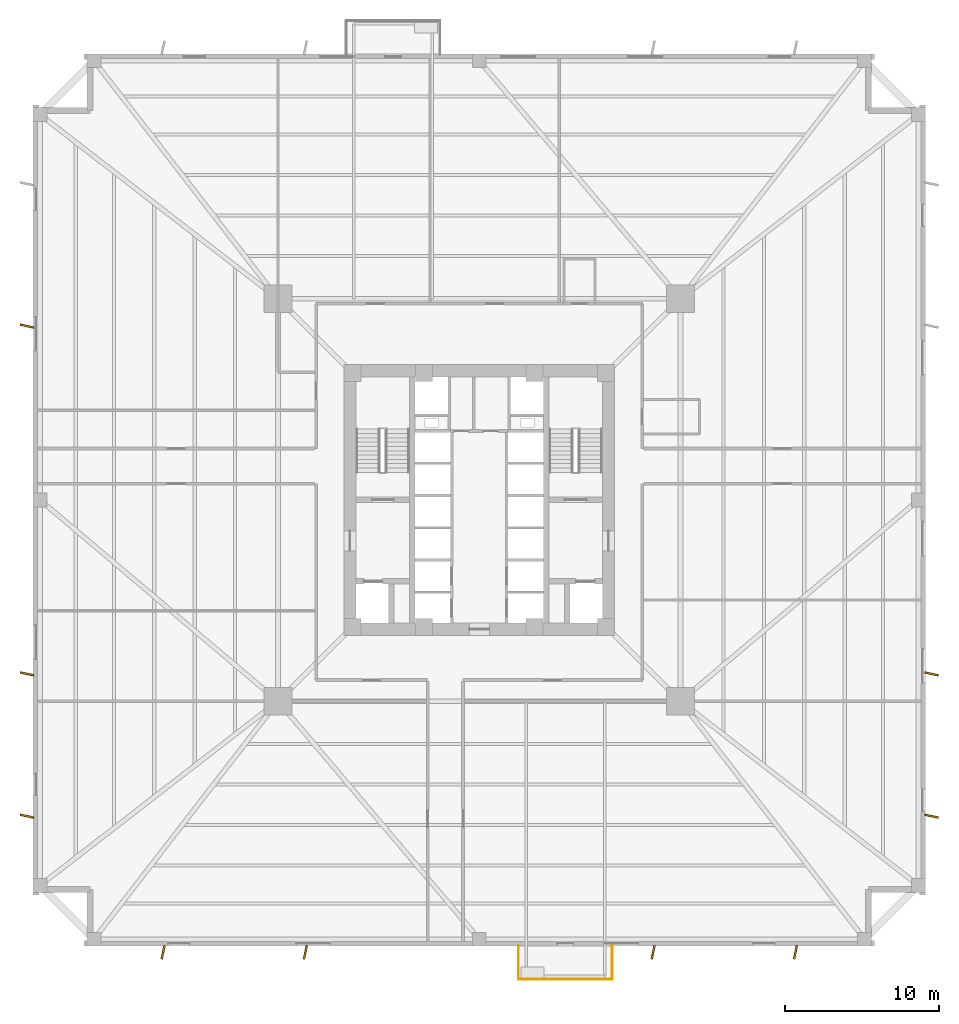
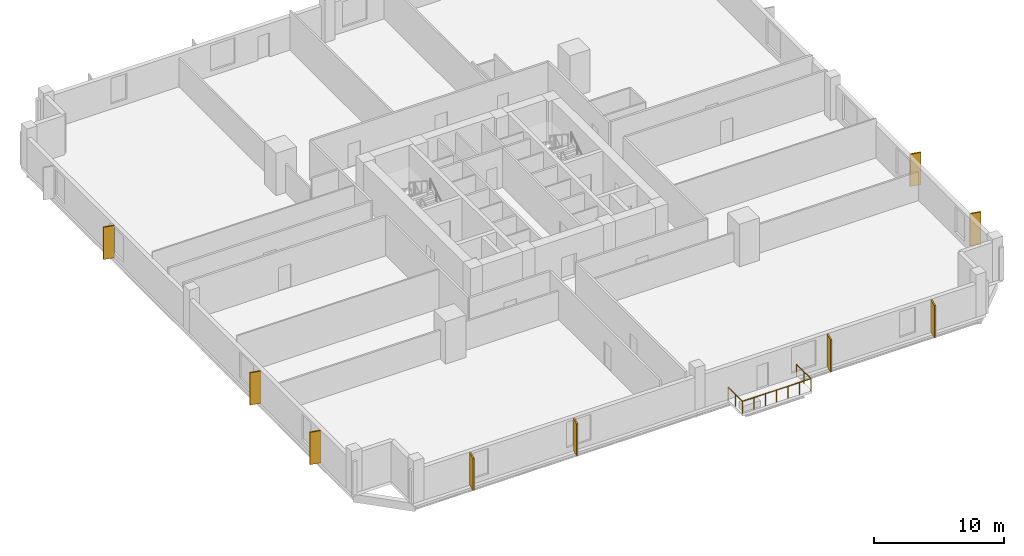
# One storey, part 6 of 8: 9 coverings, 3 railings.
"""IFC4 building model written with IfcOpenShell, lengths in metres."""

from ifc_helpers import new_model, si_unit, direction, frame, origin, origin_2d, place, context, subcontext, project, spatial, rectangle, circle, extrude, source, transform, mapped, material, layer, layer_set, type_object, element, save


model = new_model("IFC4")

# Units and contexts
model_context = context("Model", 3, precision=1e-05, world=origin(), true_north=direction((0.0, 1.0)))
body_context = subcontext(model_context, "Body", "Model", "MODEL_VIEW")
ifc_project = project(units=[si_unit("LENGTHUNIT", "METRE"), si_unit("AREAUNIT", "SQUARE_METRE"), si_unit("VOLUMEUNIT", "CUBIC_METRE"), si_unit("PLANEANGLEUNIT", "RADIAN"), si_unit("MASSUNIT", "GRAM", prefix="KILO"), si_unit("THERMODYNAMICTEMPERATUREUNIT", "KELVIN")], contexts=[model_context])

# Site, building, storey
site_placement = place(None, origin())
site = spatial("IfcSite", under=ifc_project, at=site_placement, CompositionType="ELEMENT")
building_placement = place(site_placement, origin())
building = spatial("IfcBuilding", under=site, at=building_placement, Name="Kosmvard Interchange Tower", CompositionType="ELEMENT")
storey_placement = place(building_placement, frame((0.0, 0.0, 62.0)))
storey = spatial("IfcBuildingStorey", under=building, at=storey_placement, Name="L14", CompositionType="ELEMENT", Elevation=62.0)

# Railings
ifc_material_1 = material(Name="Steel S355", Category="steel")
railing_type = type_object("IfcRailingType", Name="Observation & Balcony Glass-Infill Balustrade 1150", PredefinedType="BALUSTRADE", material=ifc_material_1)
shared_shape_1 = source(origin(), body_context, "Body", "SweptSolid", [
    extrude(circle(Radius=0.02392578125, at=origin_2d()), frame((0.0, 0.0, 1.1259765625), z_axis=(0.0, -1.0, 0.0), x_axis=(1.0, 0.0, 0.0)), (0.0, 0.0, 1.0), 2.199951171875),
    extrude(circle(Radius=0.02099609375, at=origin_2d()), origin(), (0.0, 0.0, 1.0), 1.101806640625),
    extrude(circle(Radius=0.02099609375, at=origin_2d()), frame((0.0, -1.10009765625, 0.0)), (0.0, 0.0, 1.0), 1.101806640625),
    extrude(circle(Radius=0.02099609375, at=origin_2d()), frame((0.0, -2.199951171875, 0.0)), (0.0, 0.0, 1.0), 1.101806640625),
])
railing_1_placement = place(storey_placement, frame((2.550048828125, -28.949951171875, 0.0)))
element("IfcRailing", 1, at=railing_1_placement, inside=storey, type_object=railing_type, Name="L14 Outdoor Terrace Guard BAL-L14-SW-A", PredefinedType="BALUSTRADE", context=body_context, shape_type="MappedRepresentation", body=[
    mapped(shared_shape_1, transform((0.0, 0.0, 0.0), scale=1.0)),
])
shared_shape_2 = source(origin(), body_context, "Body", "SweptSolid", [
    extrude(circle(Radius=0.02392578125, at=origin_2d()), frame((0.0, 0.0, 1.1259765625), z_axis=(1.0, 0.0, 0.0), x_axis=(0.0, 1.0, 0.0)), (0.0, 0.0, 1.0), 6.099853515625),
    extrude(circle(Radius=0.02099609375, at=origin_2d()), origin(), (0.0, 0.0, 1.0), 1.101806640625),
    extrude(circle(Radius=0.02099609375, at=origin_2d()), frame((1.0166015625, 0.0, 0.0)), (0.0, 0.0, 1.0), 1.101806640625),
    extrude(circle(Radius=0.02099609375, at=origin_2d()), frame((2.033203125, 0.0, 0.0)), (0.0, 0.0, 1.0), 1.101806640625),
    extrude(circle(Radius=0.02099609375, at=origin_2d()), frame((3.0498046875, 0.0, 0.0)), (0.0, 0.0, 1.0), 1.101806640625),
    extrude(circle(Radius=0.02099609375, at=origin_2d()), frame((4.066650390625, 0.0, 0.0)), (0.0, 0.0, 1.0), 1.101806640625),
    extrude(circle(Radius=0.02099609375, at=origin_2d()), frame((5.083251953125, 0.0, 0.0)), (0.0, 0.0, 1.0), 1.101806640625),
    extrude(circle(Radius=0.02099609375, at=origin_2d()), frame((6.099853515625, 0.0, 0.0)), (0.0, 0.0, 1.0), 1.101806640625),
])
railing_2_placement = place(storey_placement, frame((2.550048828125, -31.14990234375, 0.0)))
element("IfcRailing", 2, at=railing_2_placement, inside=storey, type_object=railing_type, Name="L14 Outdoor Terrace Guard BAL-L14-SW-B", PredefinedType="BALUSTRADE", context=body_context, shape_type="MappedRepresentation", body=[
    mapped(shared_shape_2, transform((0.0, 0.0, 0.0), scale=1.0)),
])
shared_shape_3 = source(origin(), body_context, "Body", "SweptSolid", [
    extrude(circle(Radius=0.02392578125, at=origin_2d()), frame((0.0, 0.0, 1.1259765625), z_axis=(0.0, 1.0, 0.0), x_axis=(-1.0, 0.0, 0.0)), (0.0, 0.0, 1.0), 2.199951171875),
    extrude(circle(Radius=0.02099609375, at=origin_2d()), origin(), (0.0, 0.0, 1.0), 1.101806640625),
    extrude(circle(Radius=0.02099609375, at=origin_2d()), frame((0.0, 1.10009765625, 0.0)), (0.0, 0.0, 1.0), 1.101806640625),
    extrude(circle(Radius=0.02099609375, at=origin_2d()), frame((0.0, 2.199951171875, 0.0)), (0.0, 0.0, 1.0), 1.101806640625),
])
railing_3_placement = place(storey_placement, frame((8.64990234375, -31.14990234375, 0.0)))
element("IfcRailing", 3, at=railing_3_placement, inside=storey, type_object=railing_type, Name="L14 Outdoor Terrace Guard BAL-L14-SW-C", PredefinedType="BALUSTRADE", context=body_context, shape_type="MappedRepresentation", body=[
    mapped(shared_shape_3, transform((0.0, 0.0, 0.0), scale=1.0)),
])

# Coverings
ifc_material_2 = material(Name="Architectural anodised aluminium", Category="aluminium")
ifc_layer = layer(ifc_material_2, 0.1201171875, Name="Architectural anodised aluminium")
ifc_layer_set = layer_set([ifc_layer], Name="Architectural anodised aluminium")
covering_type = type_object("IfcCoveringType", Name="Rotating Vertical Sun-Breaker Fin 900x120 Aluminium", PredefinedType="CLADDING", material=ifc_layer_set)
shared_shape_4 = source(origin(), body_context, "Body", "SweptSolid", [
    extrude(rectangle(XDim=0.89990234375, YDim=0.1201171875, at=origin_2d()), origin(), (0.0, 0.0, 1.0), 3.0400390625),
])
for number, where, z_axis, x_axis, name in (
    (4, (-20.552001953125, -29.39990234375, 0.0400390625), (0.0, 0.0, 1.0), (-0.206887263232, -0.978364788978, 0.0), "L14 Rotating Vertical Sun-Breaker Fin 01"),
    (5, (-11.3037109375, -29.39990234375, 0.0400390625), (0.0, 0.0, 1.0), (-0.206887263232, -0.978364788978, 0.0), "L14 Rotating Vertical Sun-Breaker Fin 02"),
    (6, (11.3037109375, -29.39990234375, 0.0400390625), (0.0, 0.0, 1.0), (-0.206887263232, -0.978364788978, 0.0), "L14 Rotating Vertical Sun-Breaker Fin 03"),
    (7, (20.552001953125, -29.39990234375, 0.0400390625), (0.0, 0.0, 1.0), (-0.206887263232, -0.978364788978, 0.0), "L14 Rotating Vertical Sun-Breaker Fin 04"),
    (8, (29.39990234375, -20.552001953125, 0.0400390625), (0.0, 0.0, 1.0), (0.978364788978, -0.206887263232, 0.0), "L14 Rotating Vertical Sun-Breaker Fin 05"),
    (9, (29.39990234375, -11.3037109375, 0.0400390625), (0.0, 0.0, 1.0), (0.978364788978, -0.206887263232, 0.0), "L14 Rotating Vertical Sun-Breaker Fin 06"),
    (10, (-29.39990234375, 11.3037109375, 0.0400390625), (0.0, 0.0, 1.0), (-0.978364788978, 0.206887263232, 0.0), "L14 Rotating Vertical Sun-Breaker Fin 14"),
    (11, (-29.39990234375, -11.3037109375, 0.0400390625), (0.0, 0.0, 1.0), (-0.978364788978, 0.206887263232, 0.0), "L14 Rotating Vertical Sun-Breaker Fin 15"),
    (12, (-29.39990234375, -20.552001953125, 0.0400390625), (0.0, 0.0, 1.0), (-0.978364788978, 0.206887263232, 0.0), "L14 Rotating Vertical Sun-Breaker Fin 16"),
):
    element("IfcCovering", number, at=place(storey_placement, frame(where, z_axis=z_axis, x_axis=x_axis)), inside=storey, type_object=covering_type, Name=name, PredefinedType="CLADDING", context=body_context, shape_type="MappedRepresentation", body=[
        mapped(shared_shape_4, transform((0.0, 0.0, 0.0), scale=1.0)),
    ])

save(model, "model.ifc")
